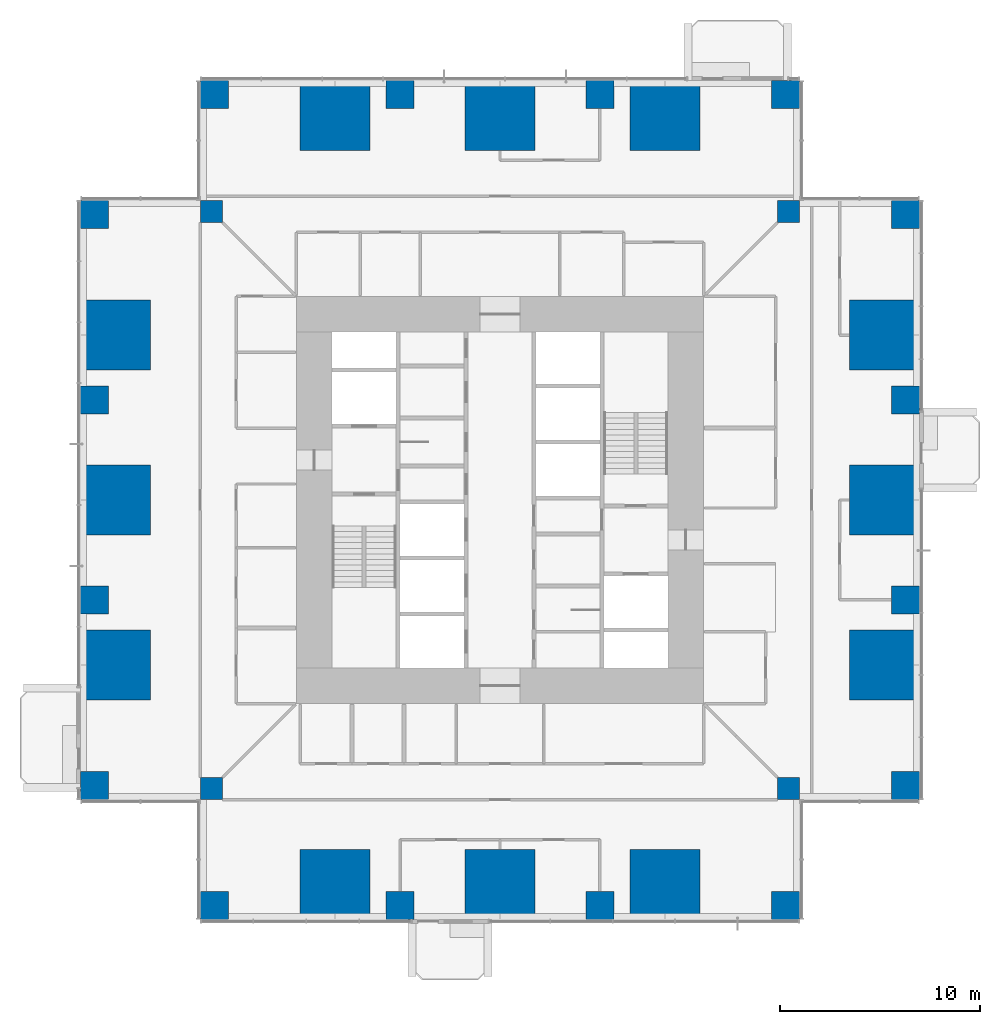
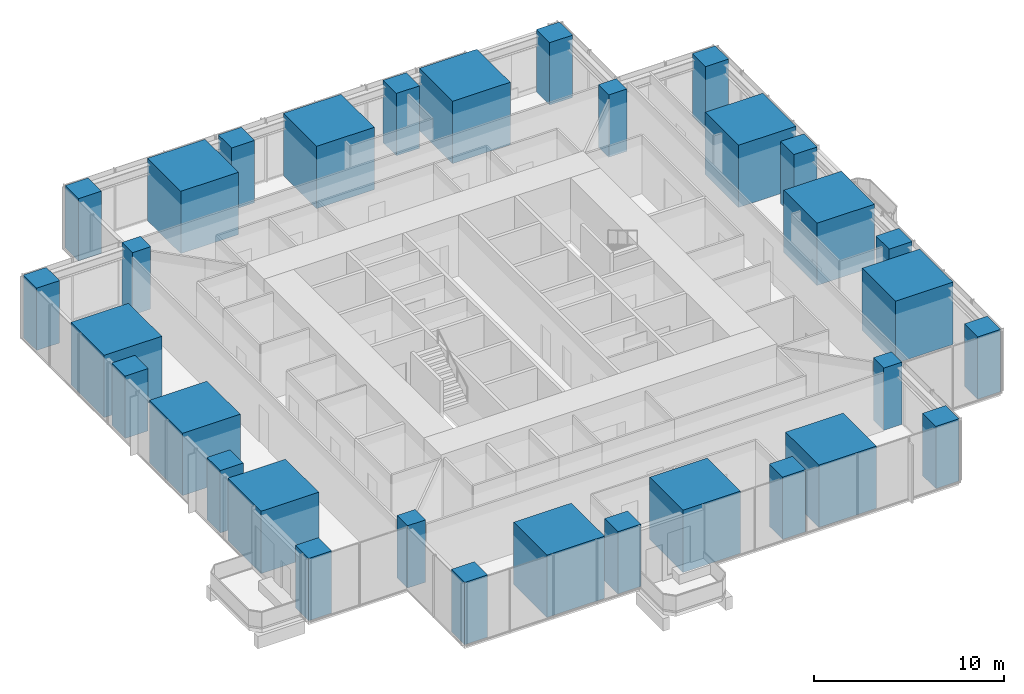
# One storey, part 1 of 17: 32 columns.
"""IFC4 building model written with IfcOpenShell, lengths in metres."""

import ifcopenshell
import ifcopenshell.guid

model = None  # the IFC model being written
_history = None  # IfcOwnerHistory: only IFC2X3 demands one
_inside = {}  # id of a spatial element -> (the spatial element, [elements in it])
_under = {}  # id of a project, library or spatial element -> (it, [spatial elements below it])
_declared = {}  # id of a project -> (the project, [libraries it declares])
_typed = {}  # id of a type object -> (the type object, [elements of that type])
_made_of = {}  # id of a material, layer set ... -> (it, [elements and type objects made of it])


def new_model(schema):
    """Start an empty IFC model of exactly this schema.

    Asked for "IFC4X3", IfcOpenShell would pick the latest addendum, in which some entities
    have other attributes; the version numbers below select the first issue.
    IFC2X3 requires an IfcOwnerHistory on every rooted entity: one is made here for all.
    """
    global model, _history
    if schema == "IFC4X3":
        model = ifcopenshell.file(schema_version=(4, 3, 0, 0))
    else:
        model = ifcopenshell.file(schema=schema)
    _inside.clear()
    _under.clear()
    _declared.clear()
    _typed.clear()
    _made_of.clear()
    _history = None
    if model.schema == "IFC2X3":
        org = make("IfcOrganization", Name="unknown")
        user = make(
            "IfcPersonAndOrganization",
            ThePerson=make("IfcPerson", FamilyName="unknown"),
            TheOrganization=org,
        )
        app = make(
            "IfcApplication",
            ApplicationDeveloper=org,
            Version="unknown",
            ApplicationFullName="unknown",
            ApplicationIdentifier="unknown",
        )
        _history = make(
            "IfcOwnerHistory",
            OwningUser=user,
            OwningApplication=app,
            ChangeAction="ADDED",
            CreationDate=0,
        )
    return model


def make(cls, **values):
    """One entity of the class cls with the attributes given. An attribute that is None is left unset."""
    return model.create_entity(
        cls, **{name: value for name, value in values.items() if value is not None}
    )


def rooted(cls, **values):
    """An entity with a GlobalId (a new one), such as an element, a storey or a relation."""
    return make(cls, GlobalId=ifcopenshell.guid.new(), OwnerHistory=_history, **values)


def si_unit(unit_type, name, prefix=None):
    """IfcSIUnit, for example si_unit("LENGTHUNIT", "METRE", prefix="MILLI")."""
    return make("IfcSIUnit", UnitType=unit_type, Prefix=prefix, Name=name)


def assignment(units):
    """IfcUnitAssignment: the units of a project."""
    return None if units is None else make("IfcUnitAssignment", Units=units)


def point(xyz):
    """IfcCartesianPoint."""
    return None if xyz is None else make("IfcCartesianPoint", Coordinates=xyz)


def direction(xyz):
    """IfcDirection."""
    return None if xyz is None else make("IfcDirection", DirectionRatios=xyz)


def frame(location, z_axis=None, x_axis=None):
    """IfcAxis2Placement3D, a coordinate frame: its origin and axes. An axis left out is left unset."""
    return make(
        "IfcAxis2Placement3D",
        Location=point(location),
        Axis=direction(z_axis),
        RefDirection=direction(x_axis),
    )


def frame_2d(location, x_axis=None):
    """IfcAxis2Placement2D, a coordinate frame in the plane: its origin and x axis."""
    return make(
        "IfcAxis2Placement2D", Location=point(location), RefDirection=direction(x_axis)
    )


def origin():
    """The frame at (0, 0, 0) with its axes left unset."""
    return frame((0.0, 0.0, 0.0))


def origin_2d():
    """The frame at (0, 0) in the plane with its x axis left unset."""
    return frame_2d((0.0, 0.0))


def place(relative_to, where):
    """IfcLocalPlacement: puts the frame where relative to a parent placement (None: the world)."""
    return make(
        "IfcLocalPlacement", PlacementRelTo=relative_to, RelativePlacement=where
    )


def context(
    kind, dimensions, precision=None, world=None, true_north=None, identifier=None
):
    """IfcGeometricRepresentationContext, for example the 3D "Model" context."""
    return make(
        "IfcGeometricRepresentationContext",
        ContextIdentifier=identifier,
        ContextType=kind,
        CoordinateSpaceDimension=dimensions,
        Precision=precision,
        WorldCoordinateSystem=world,
        TrueNorth=true_north,
    )


def subcontext(parent, identifier, kind, view, scale=None):
    """IfcGeometricRepresentationSubContext, for example "Body" below "Model"."""
    return make(
        "IfcGeometricRepresentationSubContext",
        ContextIdentifier=identifier,
        ContextType=kind,
        ParentContext=parent,
        TargetScale=scale,
        TargetView=view,
    )


def project(units=None, contexts=None):
    """IfcProject with its units and contexts."""
    return rooted(
        "IfcProject",
        Name="project",
        RepresentationContexts=contexts,
        UnitsInContext=assignment(units),
    )


def spatial(cls, under=None, at=None, **own):
    """A site, building, storey or space (cls), placed at a placement, below another one or the project."""
    s = rooted(cls, ObjectPlacement=at, **own)
    if under is not None:
        _under.setdefault(under.id(), (under, []))[1].append(s)
    return s


def profile(cls, at=None, kind="AREA", **sizes):
    """A parametric profile (cls). Its sizes go by their IFC names, for example OverallWidth=200.0."""
    return make(cls, ProfileType=kind, Position=at, **sizes)


def rectangle(**sizes):
    """IfcRectangleProfileDef."""
    return profile("IfcRectangleProfileDef", **sizes)


def extrude(swept, where, along, depth):
    """IfcExtrudedAreaSolid: the profile swept, set in the frame where, extruded along a direction by depth."""
    return make(
        "IfcExtrudedAreaSolid",
        SweptArea=swept,
        Position=where,
        ExtrudedDirection=direction(along),
        Depth=depth,
    )


def shape(context_of_items, identifier, shape_type, items):
    """IfcShapeRepresentation: the items that make up one representation, for example the "Body"."""
    return make(
        "IfcShapeRepresentation",
        ContextOfItems=context_of_items,
        RepresentationIdentifier=identifier,
        RepresentationType=shape_type,
        Items=items,
    )


def material(Name=None, Category=None):
    """IfcMaterial."""
    return make("IfcMaterial", Name=Name, Category=Category)


def material_profile(
    of_material, cross_section, Name=None, Category=None, Priority=None
):
    """IfcMaterialProfile: a cross section and its material."""
    return make(
        "IfcMaterialProfile",
        Name=Name,
        Material=of_material,
        Profile=cross_section,
        Priority=Priority,
        Category=Category,
    )


def profile_set(profiles, Name=None, composite=None):
    """IfcMaterialProfileSet."""
    return make(
        "IfcMaterialProfileSet",
        Name=Name,
        MaterialProfiles=profiles,
        CompositeProfile=composite,
    )


def made_of(thing, what):
    """Note that an element or type object is made of a material, layer set ...; save() writes the relation."""
    if what is not None:
        _made_of.setdefault(what.id(), (what, []))[1].append(thing)
    return thing


def type_object(cls, material=None, **own):
    """A type object (cls), such as IfcWallType, which elements share."""
    return made_of(rooted(cls, **own), material)


def element(
    cls,
    number,
    at=None,
    inside=None,
    cuts=None,
    type_object=None,
    material=None,
    context=None,
    identifier="Body",
    shape_type=None,
    held_by="IfcProductDefinitionShape",
    body=None,
    shapes=None,
    **own,
):
    """One element of the class cls, such as IfcWall. Its Tag is "e" and its number.

    at: its placement. inside: the storey or other place that contains it. cuts: it is an
    opening in that element (IfcRelVoidsElement). A single representation is given by context,
    identifier, shape_type and body (its items); several are given by shapes. held_by: the class
    of the entity that holds the representations. save() writes the other relations.
    """
    e = rooted(cls, Tag="e%d" % number, ObjectPlacement=at, **own)
    if body is not None:
        shapes = [shape(context, identifier, shape_type, body)]
    if shapes is not None:
        e.Representation = make(held_by, Representations=shapes)
    if inside is not None:
        _inside.setdefault(inside.id(), (inside, []))[1].append(e)
    if cuts is not None:
        rooted(
            "IfcRelVoidsElement", RelatingBuildingElement=cuts, RelatedOpeningElement=e
        )
    if type_object is not None:
        _typed.setdefault(type_object.id(), (type_object, []))[1].append(e)
    return made_of(e, material)


def aggregate(whole, parts):
    """IfcRelAggregates: a whole, such as a stair, and the parts it consists of."""
    return rooted("IfcRelAggregates", RelatingObject=whole, RelatedObjects=parts)


def save(model, path):
    """Write the relations noted so far, then the file.

    IfcRelAggregates (storeys below a building ...), IfcRelContainedInSpatialStructure (elements
    in a storey), IfcRelDefinesByType, IfcRelAssociatesMaterial and IfcRelDeclares: one each for
    every whole, place, type object, material and project.
    """
    for whole, parts in _under.values():
        aggregate(whole, parts)
    for where, things in _inside.values():
        rooted(
            "IfcRelContainedInSpatialStructure",
            RelatedElements=things,
            RelatingStructure=where,
        )
    for kind, things in _typed.values():
        rooted("IfcRelDefinesByType", RelatedObjects=things, RelatingType=kind)
    for what, things in _made_of.values():
        rooted("IfcRelAssociatesMaterial", RelatedObjects=things, RelatingMaterial=what)
    for by, libraries in _declared.values():
        rooted("IfcRelDeclares", RelatingContext=by, RelatedDefinitions=libraries)
    model.write(path)


model = new_model("IFC4")

# Units and contexts
model_context = context("Model", 3, precision=1e-05, world=origin(), true_north=direction((0.0, 1.0)))
body_context = subcontext(model_context, "Body", "Model", "MODEL_VIEW")
ifc_project = project(units=[si_unit("LENGTHUNIT", "METRE"), si_unit("AREAUNIT", "SQUARE_METRE"), si_unit("VOLUMEUNIT", "CUBIC_METRE"), si_unit("PLANEANGLEUNIT", "RADIAN"), si_unit("MASSUNIT", "GRAM", prefix="KILO")], contexts=[model_context])

# Site, building, storey
site_placement = place(None, origin())
site = spatial("IfcSite", under=ifc_project, at=site_placement, CompositionType="ELEMENT")
building_placement = place(site_placement, origin())
building = spatial("IfcBuilding", under=site, at=building_placement, Name="Svetlomir Tower", CompositionType="ELEMENT")
storey_placement = place(building_placement, frame((0.0, 0.0, 62.5)))
storey = spatial("IfcBuildingStorey", under=building, at=storey_placement, Name="L14", CompositionType="ELEMENT", Elevation=62.5)

# Columns
ifc_material_1 = material(Name="Concrete C60/75", Category="concrete")
ifc_material_profile_1 = material_profile(ifc_material_1, rectangle(XDim=1.10009765625, YDim=1.10009765625, at=origin_2d()), Name="RC 1100x1100")
ifc_profile_set_1 = profile_set([ifc_material_profile_1], Name="Concrete C60/75")
column_type_1 = type_object("IfcColumnType", Name="COLUMN RC 1100x1100", PredefinedType="COLUMN", material=ifc_profile_set_1)
for number, where, z_axis, x_axis, name in (
    (1, (6.550048828125, 6.550048828125, 0.0), (0.0, 0.0, 1.0), (1.0, 0.0, 0.0), "Column 6/6 L14"),
    (2, (35.449951171875, 6.550048828125, 0.0), (0.0, 0.0, 1.0), (1.0, 0.0, 0.0), "Column 36/6 L14"),
    (3, (6.550048828125, 35.449951171875, 0.0), (0.0, 0.0, 1.0), (1.0, 0.0, 0.0), "Column 6/36 L14"),
    (4, (35.449951171875, 35.449951171875, 0.0), (0.0, 0.0, 1.0), (1.0, 0.0, 0.0), "Column 36/36 L14"),
):
    element("IfcColumn", number, at=place(storey_placement, frame(where, z_axis=z_axis, x_axis=x_axis)), inside=storey, type_object=column_type_1, Name=name, PredefinedType="COLUMN", context=body_context, shape_type="SweptSolid", body=[
        extrude(rectangle(XDim=1.10009765625, YDim=1.10009765625, at=origin_2d()), origin(), (0.0, 0.0, 1.0), 4.0),
    ])
ifc_material_2 = material(Name="Concrete C60/75", Category="concrete")
ifc_material_profile_2 = material_profile(ifc_material_2, rectangle(XDim=1.39990234375, YDim=1.39990234375, at=origin_2d()), Name="RC 1400x1400")
ifc_profile_set_2 = profile_set([ifc_material_profile_2], Name="Concrete C60/75")
column_type_2 = type_object("IfcColumnType", Name="COLUMN RC 1400x1400", PredefinedType="COLUMN", material=ifc_profile_set_2)
for number, where, z_axis, x_axis, name in (
    (5, (6.699951171875, 0.699951171875, 0.0), (0.0, 0.0, 1.0), (1.0, 0.0, 0.0), "Column 6/0 L14"),
    (6, (16.0, 0.699951171875, 0.0), (0.0, 0.0, 1.0), (1.0, 0.0, 0.0), "Column 16/0 L14"),
    (7, (26.0, 0.699951171875, 0.0), (0.0, 0.0, 1.0), (1.0, 0.0, 0.0), "Column 26/0 L14"),
    (8, (35.300048828125, 0.699951171875, 0.0), (0.0, 0.0, 1.0), (1.0, 0.0, 0.0), "Column 36/0 L14"),
    (9, (0.699951171875, 6.699951171875, 0.0), (0.0, 0.0, 1.0), (1.0, 0.0, 0.0), "Column 0/6 L14"),
    (10, (41.300048828125, 6.699951171875, 0.0), (0.0, 0.0, 1.0), (1.0, 0.0, 0.0), "Column 42/6 L14"),
    (11, (0.699951171875, 16.0, 0.0), (0.0, 0.0, 1.0), (1.0, 0.0, 0.0), "Column 0/16 L14"),
    (12, (41.300048828125, 16.0, 0.0), (0.0, 0.0, 1.0), (1.0, 0.0, 0.0), "Column 42/16 L14"),
    (13, (0.699951171875, 26.0, 0.0), (0.0, 0.0, 1.0), (1.0, 0.0, 0.0), "Column 0/26 L14"),
    (14, (41.300048828125, 26.0, 0.0), (0.0, 0.0, 1.0), (1.0, 0.0, 0.0), "Column 42/26 L14"),
    (15, (0.699951171875, 35.300048828125, 0.0), (0.0, 0.0, 1.0), (1.0, 0.0, 0.0), "Column 0/36 L14"),
    (16, (41.300048828125, 35.300048828125, 0.0), (0.0, 0.0, 1.0), (1.0, 0.0, 0.0), "Column 42/36 L14"),
    (17, (6.699951171875, 41.300048828125, 0.0), (0.0, 0.0, 1.0), (1.0, 0.0, 0.0), "Column 6/42 L14"),
    (18, (16.0, 41.300048828125, 0.0), (0.0, 0.0, 1.0), (1.0, 0.0, 0.0), "Column 16/42 L14"),
    (19, (26.0, 41.300048828125, 0.0), (0.0, 0.0, 1.0), (1.0, 0.0, 0.0), "Column 26/42 L14"),
    (20, (35.300048828125, 41.300048828125, 0.0), (0.0, 0.0, 1.0), (1.0, 0.0, 0.0), "Column 36/42 L14"),
):
    element("IfcColumn", number, at=place(storey_placement, frame(where, z_axis=z_axis, x_axis=x_axis)), inside=storey, type_object=column_type_2, Name=name, PredefinedType="COLUMN", context=body_context, shape_type="SweptSolid", body=[
        extrude(rectangle(XDim=1.39990234375, YDim=1.39990234375, at=origin_2d()), origin(), (0.0, 0.0, 1.0), 4.0),
    ])
ifc_material_3 = material(Name="Concrete C60/75", Category="concrete")
ifc_material_profile_3 = material_profile(ifc_material_3, rectangle(XDim=3.5, YDim=3.5, at=origin_2d()), Name="RC 3500x3500")
ifc_profile_set_3 = profile_set([ifc_material_profile_3], Name="Concrete C60/75")
column_type_3 = type_object("IfcColumnType", Name="COLUMN RC 3500x3500", PredefinedType="COLUMN", material=ifc_profile_set_3)
for number, where, z_axis, x_axis, name in (
    (21, (12.75, 1.75, 0.0), (0.0, 0.0, 1.0), (1.0, 0.0, 0.0), "Column 11/0 L14"),
    (22, (21.0, 1.75, 0.0), (0.0, 0.0, 1.0), (1.0, 0.0, 0.0), "Column 21/0 L14"),
    (23, (29.25, 1.75, 0.0), (0.0, 0.0, 1.0), (1.0, 0.0, 0.0), "Column 31/0 L14"),
    (24, (1.75, 12.75, 0.0), (0.0, 0.0, 1.0), (1.0, 0.0, 0.0), "Column 0/11 L14"),
    (25, (40.25, 12.75, 0.0), (0.0, 0.0, 1.0), (1.0, 0.0, 0.0), "Column 42/11 L14"),
    (26, (1.75, 21.0, 0.0), (0.0, 0.0, 1.0), (1.0, 0.0, 0.0), "Column 0/21 L14"),
    (27, (40.25, 21.0, 0.0), (0.0, 0.0, 1.0), (1.0, 0.0, 0.0), "Column 42/21 L14"),
    (28, (1.75, 29.25, 0.0), (0.0, 0.0, 1.0), (1.0, 0.0, 0.0), "Column 0/31 L14"),
    (29, (40.25, 29.25, 0.0), (0.0, 0.0, 1.0), (1.0, 0.0, 0.0), "Column 42/31 L14"),
    (30, (12.75, 40.25, 0.0), (0.0, 0.0, 1.0), (1.0, 0.0, 0.0), "Column 11/42 L14"),
    (31, (21.0, 40.25, 0.0), (0.0, 0.0, 1.0), (1.0, 0.0, 0.0), "Column 21/42 L14"),
    (32, (29.25, 40.25, 0.0), (0.0, 0.0, 1.0), (1.0, 0.0, 0.0), "Column 31/42 L14"),
):
    element("IfcColumn", number, at=place(storey_placement, frame(where, z_axis=z_axis, x_axis=x_axis)), inside=storey, type_object=column_type_3, Name=name, PredefinedType="COLUMN", context=body_context, shape_type="SweptSolid", body=[
        extrude(rectangle(XDim=3.5, YDim=3.5, at=origin_2d()), origin(), (0.0, 0.0, 1.0), 4.0),
    ])

save(model, "model.ifc")
